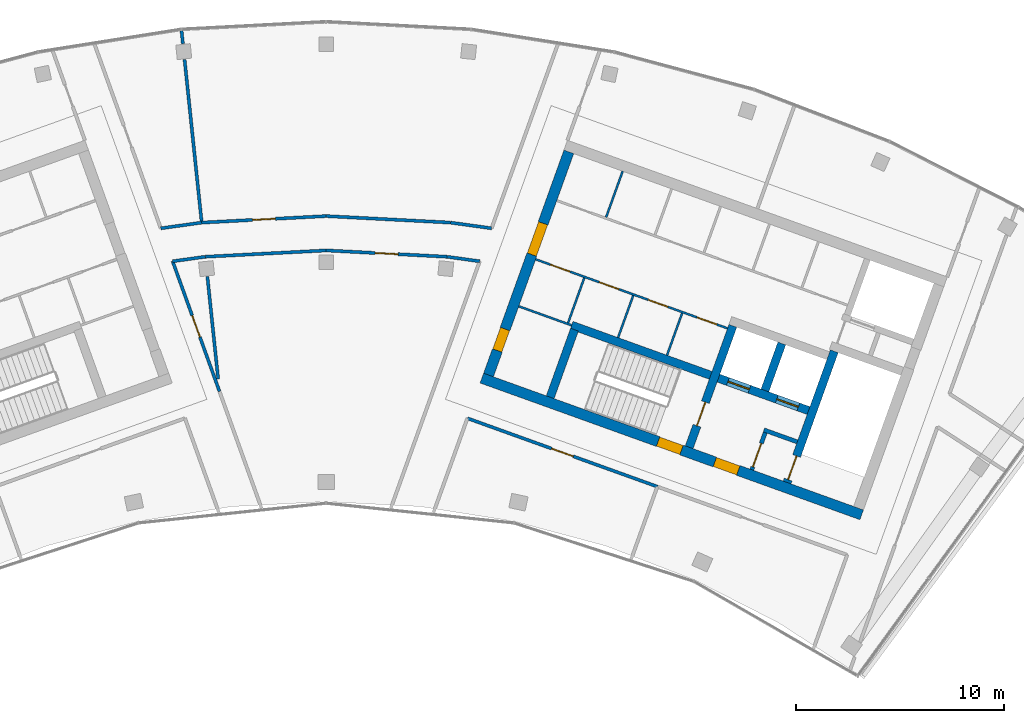
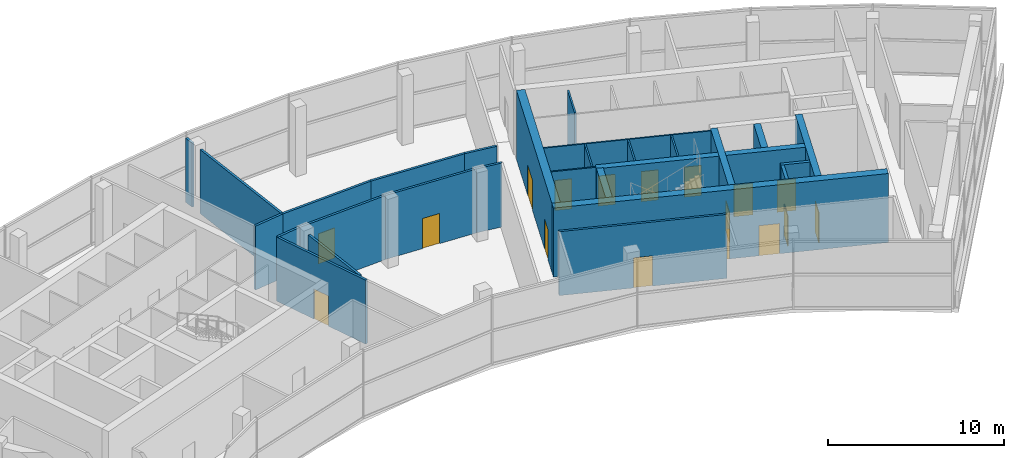
# One storey, part 10 of 13: 28 walls, 17 doors, 17 openings.
"""IFC4 building model written with IfcOpenShell, lengths in metres."""

from ifc_helpers import new_model, si_unit, direction, frame, frame_2d, origin, place, context, subcontext, project, spatial, rectangle, extrude, material, layer, layer_set, type_object, element, fill, save


model = new_model("IFC4")

# Units and contexts
model_context = context("Model", 3, precision=1e-05, world=origin(), true_north=direction((0.0, 1.0)))
body_context = subcontext(model_context, "Body", "Model", "MODEL_VIEW")
ifc_project = project(units=[si_unit("LENGTHUNIT", "METRE"), si_unit("AREAUNIT", "SQUARE_METRE"), si_unit("VOLUMEUNIT", "CUBIC_METRE"), si_unit("PLANEANGLEUNIT", "RADIAN"), si_unit("MASSUNIT", "GRAM", prefix="KILO")], contexts=[model_context])

# Site, building, storey
site_placement = place(None, origin())
site = spatial("IfcSite", under=ifc_project, at=site_placement, CompositionType="ELEMENT")
building_placement = place(site_placement, origin())
building = spatial("IfcBuilding", under=site, at=building_placement, Name="Stone Belt Terrace Tower", CompositionType="ELEMENT")
storey_placement = place(building_placement, frame((0.0, 0.0, 332.60009765625)))
storey = spatial("IfcBuildingStorey", under=building, at=storey_placement, Name="L79", CompositionType="ELEMENT", Elevation=332.60009765625)

# Wall, openings, doors
ifc_material_1 = material(Name="Plasterboard partition")
ifc_layer_1 = layer(ifc_material_1, 0.10009765625)
ifc_layer_set_1 = layer_set([ifc_layer_1], Name="Core partition 100")
wall_type_1 = type_object("IfcWallType", Name="Core partition 100", PredefinedType="PARTITIONING", material=ifc_layer_set_1)
wall_1_placement = place(storey_placement, frame((19.29052734375, 51.829833984375, 0.0), z_axis=(0.0, 0.0, 1.0), x_axis=(-0.940925833398, 0.338612722803, 0.0)))
wall_1 = element("IfcWall", 1, at=wall_1_placement, inside=storey, type_object=wall_type_1, Name="Core B wall", PredefinedType="PARTITIONING", context=body_context, shape_type="SweptSolid", body=[
    extrude(rectangle(XDim=9.7998046875, YDim=0.10009765625, at=frame_2d((4.89990234375, 0.0))), origin(), (0.0, 0.0, 1.0), 4.449951171875),
])
opening_1_placement = place(wall_1_placement, frame((0.550048828125, 0.0, 0.0)))
opening_1 = element("IfcOpeningElement", 2, at=opening_1_placement, cuts=wall_1, Name="Opening L79-C26", PredefinedType="OPENING", context=body_context, shape_type="SweptSolid", body=[
    extrude(rectangle(XDim=1.0, YDim=2.10009765625, at=frame_2d((0.5, 1.050048828125))), frame((0.0, 0.06005859375, 0.0), z_axis=(0.0, -1.0, 0.0), x_axis=(1.0, 0.0, 0.0)), (0.0, 0.0, 1.0), 0.1201171875),
])
opening_2_placement = place(wall_1_placement, frame((3.050048828125, 0.0, 0.0)))
opening_2 = element("IfcOpeningElement", 3, at=opening_2_placement, cuts=wall_1, Name="Opening L79-C27", PredefinedType="OPENING", context=body_context, shape_type="SweptSolid", body=[
    extrude(rectangle(XDim=1.0, YDim=2.10009765625, at=frame_2d((0.5, 1.050048828125))), frame((0.0, 0.06005859375, 0.0), z_axis=(0.0, -1.0, 0.0), x_axis=(1.0, 0.0, 0.0)), (0.0, 0.0, 1.0), 0.1201171875),
])
opening_3_placement = place(wall_1_placement, frame((5.550048828125, 0.0, 0.0)))
opening_3 = element("IfcOpeningElement", 4, at=opening_3_placement, cuts=wall_1, Name="Opening L79-C28", PredefinedType="OPENING", context=body_context, shape_type="SweptSolid", body=[
    extrude(rectangle(XDim=1.0, YDim=2.10009765625, at=frame_2d((0.5, 1.050048828125))), frame((0.0, 0.06005859375, 0.0), z_axis=(0.0, -1.0, 0.0), x_axis=(1.0, 0.0, 0.0)), (0.0, 0.0, 1.0), 0.1201171875),
])
opening_4_placement = place(wall_1_placement, frame((8.050048828125, 0.0, 0.0)))
opening_4 = element("IfcOpeningElement", 5, at=opening_4_placement, cuts=wall_1, Name="Opening L79-C29", PredefinedType="OPENING", context=body_context, shape_type="SweptSolid", body=[
    extrude(rectangle(XDim=1.0, YDim=2.10009765625, at=frame_2d((0.5, 1.050048828125))), frame((0.0, 0.06005859375, 0.0), z_axis=(0.0, -1.0, 0.0), x_axis=(1.0, 0.0, 0.0)), (0.0, 0.0, 1.0), 0.1201171875),
])
ifc_material_2 = material(Name="Timber door leaf", Category="wood")
door_type_1 = type_object("IfcDoorType", Name="Core room door 1000", OperationType="SINGLE_SWING_LEFT", PredefinedType="DOOR", material=ifc_material_2)
door_1_placement = place(opening_1_placement, origin())
door_1 = element("IfcDoor", 6, at=door_1_placement, inside=storey, type_object=door_type_1, Name="Door to Ventilation plant room core B", OperationType="SINGLE_SWING_RIGHT", OverallHeight=2.10009765625, OverallWidth=1.0, PredefinedType="DOOR", context=body_context, shape_type="SweptSolid", body=[
    extrude(rectangle(XDim=1.0, YDim=2.10009765625, at=frame_2d((0.5, 1.050048828125))), frame((0.0, 0.02490234375, 0.0), z_axis=(0.0, -1.0, 0.0), x_axis=(1.0, 0.0, 0.0)), (0.0, 0.0, 1.0), 0.050048828125),
])
fill(opening_1, door_1)
door_2_placement = place(opening_2_placement, origin())
door_2 = element("IfcDoor", 7, at=door_2_placement, inside=storey, type_object=door_type_1, Name="Door to Services store core B", OperationType="SINGLE_SWING_LEFT", OverallHeight=2.10009765625, OverallWidth=1.0, PredefinedType="DOOR", context=body_context, shape_type="SweptSolid", body=[
    extrude(rectangle(XDim=1.0, YDim=2.10009765625, at=frame_2d((0.5, 1.050048828125))), frame((0.0, 0.02490234375, 0.0), z_axis=(0.0, -1.0, 0.0), x_axis=(1.0, 0.0, 0.0)), (0.0, 0.0, 1.0), 0.050048828125),
])
fill(opening_2, door_2)
door_3_placement = place(opening_3_placement, origin())
door_3 = element("IfcDoor", 8, at=door_3_placement, inside=storey, type_object=door_type_1, Name="Door to Server room core B", OperationType="SINGLE_SWING_RIGHT", OverallHeight=2.10009765625, OverallWidth=1.0, PredefinedType="DOOR", context=body_context, shape_type="SweptSolid", body=[
    extrude(rectangle(XDim=1.0, YDim=2.10009765625, at=frame_2d((0.5, 1.050048828125))), frame((0.0, 0.02490234375, 0.0), z_axis=(0.0, -1.0, 0.0), x_axis=(1.0, 0.0, 0.0)), (0.0, 0.0, 1.0), 0.050048828125),
])
fill(opening_3, door_3)
door_4_placement = place(opening_4_placement, origin())
door_4 = element("IfcDoor", 9, at=door_4_placement, inside=storey, type_object=door_type_1, Name="Door to Plant room core B", OperationType="SINGLE_SWING_LEFT", OverallHeight=2.10009765625, OverallWidth=1.0, PredefinedType="DOOR", context=body_context, shape_type="SweptSolid", body=[
    extrude(rectangle(XDim=1.0, YDim=2.10009765625, at=frame_2d((0.5, 1.050048828125))), frame((0.0, 0.02490234375, 0.0), z_axis=(0.0, -1.0, 0.0), x_axis=(1.0, 0.0, 0.0)), (0.0, 0.0, 1.0), 0.050048828125),
])
fill(opening_4, door_4)

# Walls
for number, where, z_axis, x_axis, name in (
    (10, (16.38134765625, 50.53857421875, 0.0), (0.0, 0.0, 1.0), (0.338622960269, 0.940922149159, 0.0), "Core B wall"),
    (11, (14.029052734375, 51.38525390625, 0.0), (0.0, 0.0, 1.0), (0.338622960269, 0.940922149159, 0.0), "Core B wall"),
):
    element("IfcWall", number, at=place(storey_placement, frame(where, z_axis=z_axis, x_axis=x_axis)), inside=storey, type_object=wall_type_1, Name=name, PredefinedType="PARTITIONING", context=body_context, shape_type="SweptSolid", body=[
        extrude(rectangle(XDim=2.14990234375, YDim=0.10009765625, at=frame_2d((1.074951171875, 0.0))), origin(), (0.0, 0.0, 1.0), 4.449951171875),
    ])
wall_2_placement = place(storey_placement, frame((11.797119140625, 51.975830078125, 0.0), z_axis=(0.0, 0.0, 1.0), x_axis=(-0.940910465161, 0.33865542451, 0.0)))
element("IfcWall", 12, at=wall_2_placement, inside=storey, type_object=wall_type_1, Name="Core B wall", PredefinedType="PARTITIONING", context=body_context, shape_type="SweptSolid", body=[
    extrude(rectangle(XDim=2.69970703125, YDim=0.10009765625, at=frame_2d((1.349853515625, 0.0))), origin(), (0.0, 0.0, 1.0), 4.449951171875),
])
wall_3_placement = place(storey_placement, frame((11.6259765625, 52.090576171875, 0.0), z_axis=(0.0, 0.0, 1.0), x_axis=(0.338621735342, 0.94092258999, 0.0)))
element("IfcWall", 13, at=wall_3_placement, inside=storey, type_object=wall_type_1, Name="Core B wall", PredefinedType="PARTITIONING", context=body_context, shape_type="SweptSolid", body=[
    extrude(rectangle(XDim=2.300048828125, YDim=0.10009765625, at=frame_2d((1.14990234375, 0.0))), origin(), (0.0, 0.0, 1.0), 4.449951171875),
])
wall_4_placement = place(storey_placement, frame((13.45458984375, 57.171630859375, 0.0), z_axis=(0.0, 0.0, 1.0), x_axis=(0.338579668317, 0.940937728121, 0.0)))
element("IfcWall", 14, at=wall_4_placement, inside=storey, type_object=wall_type_1, Name="Core B wall", PredefinedType="PARTITIONING", context=body_context, shape_type="SweptSolid", body=[
    extrude(rectangle(XDim=2.35009765625, YDim=0.10009765625, at=frame_2d((1.175048828125, 0.0))), origin(), (0.0, 0.0, 1.0), 4.449951171875),
])

# Wall, openings, doors
ifc_material_3 = material(Name="Concrete B60", Category="concrete")
ifc_layer_2 = layer(ifc_material_3, 0.5)
ifc_layer_set_2 = layer_set([ifc_layer_2], Name="Core wall 500 B60")
wall_type_2 = type_object("IfcWallType", Name="Core wall 500 B60", PredefinedType="SHEAR", material=ifc_layer_set_2)
wall_5_placement = place(storey_placement, frame((7.482666015625, 49.43701171875, 0.0), z_axis=(0.0, 0.0, 1.0), x_axis=(0.940917407757, -0.338636134781, 0.0)))
wall_5 = element("IfcWall", 15, at=wall_5_placement, inside=storey, type_object=wall_type_2, Name="Core B wall concave L79", PredefinedType="SHEAR", context=body_context, shape_type="SweptSolid", body=[
    extrude(rectangle(XDim=19.400146484375, YDim=0.5, at=frame_2d((9.7001953125, 0.0))), origin(), (0.0, 0.0, 1.0), 4.7998046875),
])
opening_5_placement = place(wall_5_placement, frame((11.89990234375, 0.0, 0.0)))
opening_5 = element("IfcOpeningElement", 16, at=opening_5_placement, cuts=wall_5, Name="Opening L79-C35", PredefinedType="OPENING", context=body_context, shape_type="SweptSolid", body=[
    extrude(rectangle(XDim=1.199951171875, YDim=2.10009765625, at=frame_2d((0.60009765625, 1.050048828125))), frame((0.0, 0.260009765625, 0.0), z_axis=(0.0, -1.0, 0.0), x_axis=(1.0, 0.0, 0.0)), (0.0, 0.0, 1.0), 0.52001953125),
])
opening_6_placement = place(wall_5_placement, frame((9.0, 0.0, 0.0)))
opening_6 = element("IfcOpeningElement", 17, at=opening_6_placement, cuts=wall_5, Name="Opening L79-C37", PredefinedType="OPENING", context=body_context, shape_type="SweptSolid", body=[
    extrude(rectangle(XDim=1.199951171875, YDim=2.10009765625, at=frame_2d((0.60009765625, 1.050048828125))), frame((0.0, 0.260009765625, 0.0), z_axis=(0.0, -1.0, 0.0), x_axis=(1.0, 0.0, 0.0)), (0.0, 0.0, 1.0), 0.52001953125),
])
ifc_material_4 = material(Name="Steel door leaf", Category="steel")
door_type_2 = type_object("IfcDoorType", Name="Fire-fighting lobby door 1200", OperationType="SINGLE_SWING_LEFT", PredefinedType="DOOR", material=ifc_material_4)
door_5_placement = place(opening_5_placement, origin())
door_5 = element("IfcDoor", 18, at=door_5_placement, inside=storey, type_object=door_type_2, Name="Fire-fighting lobby door core B", OperationType="SINGLE_SWING_RIGHT", OverallHeight=2.10009765625, OverallWidth=1.199951171875, PredefinedType="DOOR", context=body_context, shape_type="SweptSolid", body=[
    extrude(rectangle(XDim=1.199951171875, YDim=2.10009765625, at=frame_2d((0.60009765625, 1.050048828125))), frame((0.0, 0.22998046875, 0.0), z_axis=(0.0, -1.0, 0.0), x_axis=(1.0, 0.0, 0.0)), (0.0, 0.0, 1.0), 0.4599609375),
])
fill(opening_5, door_5)
door_type_3 = type_object("IfcDoorType", Name="Stair door 1200", OperationType="SINGLE_SWING_LEFT", PredefinedType="DOOR", material=ifc_material_4)
door_6_placement = place(opening_6_placement, origin())
door_6 = element("IfcDoor", 19, at=door_6_placement, inside=storey, type_object=door_type_3, Name="Stair 2 exit door core B", OperationType="SINGLE_SWING_LEFT", OverallHeight=2.10009765625, OverallWidth=1.199951171875, PredefinedType="DOOR", context=body_context, shape_type="SweptSolid", body=[
    extrude(rectangle(XDim=1.199951171875, YDim=2.10009765625, at=frame_2d((0.60009765625, 1.050048828125))), frame((0.0, 0.22998046875, 0.0), z_axis=(0.0, -1.0, 0.0), x_axis=(1.0, 0.0, 0.0)), (0.0, 0.0, 1.0), 0.4599609375),
])
fill(opening_6, door_6)

wall_6_placement = place(storey_placement, frame((7.802490234375, 49.58740234375, 0.0), z_axis=(0.0, 0.0, 1.0), x_axis=(0.338625431531, 0.940921259788, 0.0)))
wall_6 = element("IfcWall", 20, at=wall_6_placement, inside=storey, type_object=wall_type_2, Name="Core B wall end_a L79", PredefinedType="SHEAR", context=body_context, shape_type="SweptSolid", body=[
    extrude(rectangle(XDim=11.400146484375, YDim=0.5, at=frame_2d((5.7001953125, 0.0))), origin(), (0.0, 0.0, 1.0), 4.7998046875),
])
opening_7_placement = place(wall_6_placement, frame((6.14990234375, 0.0, 0.0)))
opening_7 = element("IfcOpeningElement", 21, at=opening_7_placement, cuts=wall_6, Name="Opening L79-C32", PredefinedType="OPENING", context=body_context, shape_type="SweptSolid", body=[
    extrude(rectangle(XDim=1.60009765625, YDim=2.10009765625, at=frame_2d((0.800048828125, 1.050048828125))), frame((0.0, 0.260009765625, 0.0), z_axis=(0.0, -1.0, 0.0), x_axis=(1.0, 0.0, 0.0)), (0.0, 0.0, 1.0), 0.52001953125),
])
opening_8_placement = place(wall_6_placement, frame((1.25, 0.0, 0.0)))
opening_8 = element("IfcOpeningElement", 22, at=opening_8_placement, cuts=wall_6, Name="Opening L79-C38", PredefinedType="OPENING", context=body_context, shape_type="SweptSolid", body=[
    extrude(rectangle(XDim=1.10009765625, YDim=2.10009765625, at=frame_2d((0.550048828125, 1.050048828125))), frame((0.0, 0.260009765625, 0.0), z_axis=(0.0, -1.0, 0.0), x_axis=(1.0, 0.0, 0.0)), (0.0, 0.0, 1.0), 0.52001953125),
])
door_type_4 = type_object("IfcDoorType", Name="Core room door 1100", OperationType="SINGLE_SWING_LEFT", PredefinedType="DOOR", material=ifc_material_2)
door_7_placement = place(opening_8_placement, origin())
door_7 = element("IfcDoor", 23, at=door_7_placement, inside=storey, type_object=door_type_4, Name="Door to Mechanical plant room core B", OperationType="SINGLE_SWING_RIGHT", OverallHeight=2.10009765625, OverallWidth=1.10009765625, PredefinedType="DOOR", context=body_context, shape_type="SweptSolid", body=[
    extrude(rectangle(XDim=1.10009765625, YDim=2.10009765625, at=frame_2d((0.550048828125, 1.050048828125))), frame((0.0, 0.22998046875, 0.0), z_axis=(0.0, -1.0, 0.0), x_axis=(1.0, 0.0, 0.0)), (0.0, 0.0, 1.0), 0.4599609375),
])
fill(opening_8, door_7)
ifc_material_5 = material(Name="Glazed aluminium door leaf", Category="aluminium")
door_type_5 = type_object("IfcDoorType", Name="Lift lobby entrance door 1600", OperationType="DOUBLE_DOOR_SINGLE_SWING", PredefinedType="DOOR", material=ifc_material_5)
door_8_placement = place(opening_7_placement, origin())
door_8 = element("IfcDoor", 24, at=door_8_placement, inside=storey, type_object=door_type_5, Name="Lift lobby entrance door core B", OperationType="DOUBLE_DOOR_SINGLE_SWING", OverallHeight=2.10009765625, OverallWidth=1.60009765625, PredefinedType="DOOR", context=body_context, shape_type="SweptSolid", body=[
    extrude(rectangle(XDim=1.60009765625, YDim=2.10009765625, at=frame_2d((0.800048828125, 1.050048828125))), frame((0.0, 0.22998046875, 0.0), z_axis=(0.0, -1.0, 0.0), x_axis=(1.0, 0.0, 0.0)), (0.0, 0.0, 1.0), 0.4599609375),
])
fill(opening_7, door_8)

# Wall
ifc_material_6 = material(Name="Concrete B80", Category="concrete")
ifc_layer_3 = layer(ifc_material_6, 0.39990234375)
ifc_layer_set_3 = layer_set([ifc_layer_3], Name="Fire-fighting lift shaft wall 400")
wall_type_3 = type_object("IfcWallType", Name="Fire-fighting lift shaft wall 400", PredefinedType="SHEAR", material=ifc_layer_set_3)
wall_7_placement = place(storey_placement, frame((21.0859375, 48.845458984375, 0.0), z_axis=(0.0, 0.0, 1.0), x_axis=(0.338629416206, 0.940919825745, 0.0)))
element("IfcWall", 25, at=wall_7_placement, inside=storey, type_object=wall_type_3, Name="Core B wall", PredefinedType="SHEAR", context=body_context, shape_type="SweptSolid", body=[
    extrude(rectangle(XDim=2.400146484375, YDim=0.39990234375, at=frame_2d((1.2001953125, 0.0))), origin(), (0.0, 0.0, 1.0), 4.449951171875),
])

# Wall, opening, door
ifc_material_7 = material(Name="Gypsum board partition")
ifc_layer_4 = layer(ifc_material_7, 0.14990234375)
ifc_layer_set_4 = layer_set([ifc_layer_4], Name="PARTITION 150 EI 60")
wall_type_4 = type_object("IfcWallType", Name="PARTITION 150 EI 60", PredefinedType="PARTITIONING", material=ifc_layer_set_4)
wall_8_placement = place(storey_placement, frame((-7.381103515625, 55.05908203125, 0.0), z_axis=(0.0, 0.0, 1.0), x_axis=(0.338745451541, -0.940878057487, 0.0)))
wall_8 = element("IfcWall", 26, at=wall_8_placement, inside=storey, type_object=wall_type_4, Name="L79/wall/i009", PredefinedType="PARTITIONING", context=body_context, shape_type="SweptSolid", body=[
    extrude(rectangle(XDim=6.654296875, YDim=0.14990234375, at=frame_2d((3.3271484375, 0.0))), origin(), (0.0, 0.0, 1.0), 4.449951171875),
])
opening_9_placement = place(wall_8_placement, frame((2.777099609375, 0.0, 0.0)))
opening_9 = element("IfcOpeningElement", 27, at=opening_9_placement, cuts=wall_8, Name="Opening D-C79-11", PredefinedType="OPENING", context=body_context, shape_type="SweptSolid", body=[
    extrude(rectangle(XDim=1.10009765625, YDim=2.10009765625, at=frame_2d((0.550048828125, 1.050048828125))), frame((0.0, 0.0849609375, 0.0), z_axis=(0.0, -1.0, 0.0), x_axis=(1.0, 0.0, 0.0)), (0.0, 0.0, 1.0), 0.169921875),
])
ifc_material_8 = material(Name="Steel fire door set", Category="steel")
door_type_6 = type_object("IfcDoorType", Name="SERVICE ROOM DOOR 1100 X 2100", OperationType="NOTDEFINED", PredefinedType="DOOR", material=ifc_material_8)
door_9_placement = place(opening_9_placement, origin())
door_9 = element("IfcDoor", 28, at=door_9_placement, inside=storey, type_object=door_type_6, Name="L79/door/i11", OperationType="SINGLE_SWING_RIGHT", OverallHeight=2.10009765625, OverallWidth=1.10009765625, PredefinedType="DOOR", context=body_context, shape_type="SweptSolid", body=[
    extrude(rectangle(XDim=1.10009765625, YDim=2.10009765625, at=frame_2d((0.550048828125, 1.050048828125))), frame((0.0, 0.02490234375, 0.0), z_axis=(0.0, -1.0, 0.0), x_axis=(1.0, 0.0, 0.0)), (0.0, 0.0, 1.0), 0.050048828125),
])
fill(opening_9, door_9)

wall_9_placement = place(storey_placement, frame((15.9208984375, 44.221923828125, 0.0), z_axis=(0.0, 0.0, 1.0), x_axis=(-0.940942551854, 0.33856626251, 0.0)))
wall_9 = element("IfcWall", 29, at=wall_9_placement, inside=storey, type_object=wall_type_4, Name="L79/wall/i026", PredefinedType="PARTITIONING", context=body_context, shape_type="SweptSolid", body=[
    extrude(rectangle(XDim=9.7060546875, YDim=0.14990234375, at=frame_2d((4.85302734375, 0.0))), origin(), (0.0, 0.0, 1.0), 4.449951171875),
])
opening_10_placement = place(wall_9_placement, frame((4.302978515625, 0.0, 0.0)))
opening_10 = element("IfcOpeningElement", 30, at=opening_10_placement, cuts=wall_9, Name="Opening D-C79-05", PredefinedType="OPENING", context=body_context, shape_type="SweptSolid", body=[
    extrude(rectangle(XDim=1.10009765625, YDim=2.10009765625, at=frame_2d((0.550048828125, 1.050048828125))), frame((0.0, 0.0849609375, 0.0), z_axis=(0.0, -1.0, 0.0), x_axis=(1.0, 0.0, 0.0)), (0.0, 0.0, 1.0), 0.169921875),
])
door_10_placement = place(opening_10_placement, origin())
door_10 = element("IfcDoor", 31, at=door_10_placement, inside=storey, type_object=door_type_6, Name="L79/door/i05", OperationType="SINGLE_SWING_RIGHT", OverallHeight=2.10009765625, OverallWidth=1.10009765625, PredefinedType="DOOR", context=body_context, shape_type="SweptSolid", body=[
    extrude(rectangle(XDim=1.10009765625, YDim=2.10009765625, at=frame_2d((0.550048828125, 1.050048828125))), frame((0.0, 0.02490234375, 0.0), z_axis=(0.0, -1.0, 0.0), x_axis=(1.0, 0.0, 0.0)), (0.0, 0.0, 1.0), 0.050048828125),
])
fill(opening_10, door_10)

# Walls
for number, where, z_axis, x_axis, name in (
    (32, (-5.80908203125, 55.27099609375, 0.0), (0.0, 0.0, 1.0), (-0.990493439248, -0.137559975311, 0.0), "L79/wall/i032"),
    (33, (7.37890625, 55.052978515625, 0.0), (0.0, 0.0, 1.0), (-0.990493439248, 0.137559975311, 0.0), "L79/wall/i033"),
):
    element("IfcWall", number, at=place(storey_placement, frame(where, z_axis=z_axis, x_axis=x_axis)), inside=storey, type_object=wall_type_4, Name=name, PredefinedType="PARTITIONING", context=body_context, shape_type="SweptSolid", body=[
        extrude(rectangle(XDim=1.5849609375, YDim=0.14990234375, at=frame_2d((0.79248046875, 0.0))), origin(), (0.0, 0.0, 1.0), 4.449951171875),
    ])

# Wall, opening, door
wall_10_placement = place(storey_placement, frame((5.80908203125, 55.27099609375, 0.0), z_axis=(0.0, 0.0, 1.0), x_axis=(-0.998633897938, 0.052252635241, 0.0)))
wall_10 = element("IfcWall", 34, at=wall_10_placement, inside=storey, type_object=wall_type_4, Name="L79/wall/i034", PredefinedType="PARTITIONING", context=body_context, shape_type="SweptSolid", body=[
    extrude(rectangle(XDim=5.817138671875, YDim=0.14990234375, at=frame_2d((2.90869140625, 0.0))), origin(), (0.0, 0.0, 1.0), 4.449951171875),
])
opening_11_placement = place(wall_10_placement, frame((2.3583984375, 0.0, 0.0)))
opening_11 = element("IfcOpeningElement", 35, at=opening_11_placement, cuts=wall_10, Name="Opening D-C79-12", PredefinedType="OPENING", context=body_context, shape_type="SweptSolid", body=[
    extrude(rectangle(XDim=1.10009765625, YDim=2.10009765625, at=frame_2d((0.550048828125, 1.050048828125))), frame((0.0, 0.0849609375, 0.0), z_axis=(0.0, -1.0, 0.0), x_axis=(1.0, 0.0, 0.0)), (0.0, 0.0, 1.0), 0.169921875),
])
door_11_placement = place(opening_11_placement, origin())
door_11 = element("IfcDoor", 36, at=door_11_placement, inside=storey, type_object=door_type_6, Name="L79/door/i12", OperationType="SINGLE_SWING_RIGHT", OverallHeight=2.10009765625, OverallWidth=1.10009765625, PredefinedType="DOOR", context=body_context, shape_type="SweptSolid", body=[
    extrude(rectangle(XDim=1.10009765625, YDim=2.10009765625, at=frame_2d((0.550048828125, 1.050048828125))), frame((0.0, 0.02490234375, 0.0), z_axis=(0.0, -1.0, 0.0), x_axis=(1.0, 0.0, 0.0)), (0.0, 0.0, 1.0), 0.050048828125),
])
fill(opening_11, door_11)

# Walls
wall_11_placement = place(storey_placement, frame((0.0, 55.574951171875, 0.0), z_axis=(0.0, 0.0, 1.0), x_axis=(-0.998633897938, -0.052252635241, 0.0)))
element("IfcWall", 37, at=wall_11_placement, inside=storey, type_object=wall_type_4, Name="L79/wall/i035", PredefinedType="PARTITIONING", context=body_context, shape_type="SweptSolid", body=[
    extrude(rectangle(XDim=5.817138671875, YDim=0.14990234375, at=frame_2d((2.90869140625, 0.0))), origin(), (0.0, 0.0, 1.0), 4.449951171875),
])
wall_12_placement = place(storey_placement, frame((-7.948974609375, 56.637939453125, 0.0), z_axis=(0.0, 0.0, 1.0), x_axis=(0.99042562209, 0.138047408912, 0.0)))
element("IfcWall", 38, at=wall_12_placement, inside=storey, type_object=wall_type_4, Name="L79/wall/i036", PredefinedType="PARTITIONING", context=body_context, shape_type="SweptSolid", body=[
    extrude(rectangle(XDim=1.986083984375, YDim=0.14990234375, at=frame_2d((0.9931640625, 0.0))), origin(), (0.0, 0.0, 1.0), 4.449951171875),
])

# Wall, opening, door
wall_13_placement = place(storey_placement, frame((-5.98193359375, 56.912109375, 0.0), z_axis=(0.0, 0.0, 1.0), x_axis=(0.998633994648, 0.052250786921, 0.0)))
wall_13 = element("IfcWall", 39, at=wall_13_placement, inside=storey, type_object=wall_type_4, Name="L79/wall/i037", PredefinedType="PARTITIONING", context=body_context, shape_type="SweptSolid", body=[
    extrude(rectangle(XDim=5.990234375, YDim=0.14990234375, at=frame_2d((2.9951171875, 0.0))), origin(), (0.0, 0.0, 1.0), 4.449951171875),
])
opening_12_placement = place(wall_13_placement, frame((2.445068359375, 0.0, 0.0)))
opening_12 = element("IfcOpeningElement", 40, at=opening_12_placement, cuts=wall_13, Name="Opening D-C79-14", PredefinedType="OPENING", context=body_context, shape_type="SweptSolid", body=[
    extrude(rectangle(XDim=1.10009765625, YDim=2.10009765625, at=frame_2d((0.550048828125, 1.050048828125))), frame((0.0, 0.0849609375, 0.0), z_axis=(0.0, -1.0, 0.0), x_axis=(1.0, 0.0, 0.0)), (0.0, 0.0, 1.0), 0.169921875),
])
door_12_placement = place(opening_12_placement, origin())
door_12 = element("IfcDoor", 41, at=door_12_placement, inside=storey, type_object=door_type_6, Name="L79/door/i14", OperationType="SINGLE_SWING_LEFT", OverallHeight=2.10009765625, OverallWidth=1.10009765625, PredefinedType="DOOR", context=body_context, shape_type="SweptSolid", body=[
    extrude(rectangle(XDim=1.10009765625, YDim=2.10009765625, at=frame_2d((0.550048828125, 1.050048828125))), frame((0.0, 0.02490234375, 0.0), z_axis=(0.0, -1.0, 0.0), x_axis=(1.0, 0.0, 0.0)), (0.0, 0.0, 1.0), 0.050048828125),
])
fill(opening_12, door_12)

# Walls
wall_14_placement = place(storey_placement, frame((0.0, 57.22509765625, 0.0), z_axis=(0.0, 0.0, 1.0), x_axis=(0.998633994648, -0.052250786921, 0.0)))
element("IfcWall", 42, at=wall_14_placement, inside=storey, type_object=wall_type_4, Name="L79/wall/i038", PredefinedType="PARTITIONING", context=body_context, shape_type="SweptSolid", body=[
    extrude(rectangle(XDim=5.990234375, YDim=0.14990234375, at=frame_2d((2.9951171875, 0.0))), origin(), (0.0, 0.0, 1.0), 4.449951171875),
])
wall_15_placement = place(storey_placement, frame((5.98193359375, 56.912109375, 0.0), z_axis=(0.0, 0.0, 1.0), x_axis=(0.99042562209, -0.138047408912, 0.0)))
element("IfcWall", 43, at=wall_15_placement, inside=storey, type_object=wall_type_4, Name="L79/wall/i039", PredefinedType="PARTITIONING", context=body_context, shape_type="SweptSolid", body=[
    extrude(rectangle(XDim=1.986083984375, YDim=0.14990234375, at=frame_2d((0.9931640625, 0.0))), origin(), (0.0, 0.0, 1.0), 4.449951171875),
])
wall_16_placement = place(storey_placement, frame((-5.708984375, 54.32080078125, 0.0), z_axis=(0.0, 0.0, 1.0), x_axis=(0.104548662851, -0.994519772099, 0.0)))
element("IfcWall", 44, at=wall_16_placement, inside=storey, type_object=wall_type_4, Name="L79/wall/i040", PredefinedType="PARTITIONING", context=body_context, shape_type="SweptSolid", body=[
    extrude(rectangle(XDim=4.9482421875, YDim=0.14990234375, at=frame_2d((2.47412109375, 0.0))), origin(), (0.0, 0.0, 1.0), 4.449951171875),
])
wall_17_placement = place(storey_placement, frame((-6.951416015625, 66.135498046875, 0.0), z_axis=(0.0, 0.0, 1.0), x_axis=(0.10448334315, -0.994526636649, 0.0)))
element("IfcWall", 45, at=wall_17_placement, inside=storey, type_object=wall_type_4, Name="L79/wall/i041", PredefinedType="PARTITIONING", context=body_context, shape_type="SweptSolid", body=[
    extrude(rectangle(XDim=0.630859375, YDim=0.14990234375, at=frame_2d((0.3154296875, 0.0))), origin(), (0.0, 0.0, 1.0), 4.449951171875),
])
wall_18_placement = place(storey_placement, frame((-6.80615234375, 64.752197265625, 0.0), z_axis=(0.0, 0.0, 1.0), x_axis=(0.104552591052, -0.99451935914, 0.0)))
element("IfcWall", 46, at=wall_18_placement, inside=storey, type_object=wall_type_4, Name="L79/wall/i042", PredefinedType="PARTITIONING", context=body_context, shape_type="SweptSolid", body=[
    extrude(rectangle(XDim=7.88330078125, YDim=0.14990234375, at=frame_2d((3.941650390625, 0.0))), origin(), (0.0, 0.0, 1.0), 4.449951171875),
])
ifc_material_9 = material(Name="Concrete masonry block", Category="masonry")
ifc_layer_5 = layer(ifc_material_9, 0.199951171875)
ifc_layer_set_5 = layer_set([ifc_layer_5], Name="Rated lobby wall 200")
wall_type_5 = type_object("IfcWallType", Name="Rated lobby wall 200", PredefinedType="PARTITIONING", material=ifc_layer_set_5)
wall_19_placement = place(storey_placement, frame((22.640625, 46.373046875, 0.0), z_axis=(0.0, 0.0, 1.0), x_axis=(-0.940966110313, 0.338500781747, 0.0)))
element("IfcWall", 47, at=wall_19_placement, inside=storey, type_object=wall_type_5, Name="Core B wall", PredefinedType="PARTITIONING", context=body_context, shape_type="SweptSolid", body=[
    extrude(rectangle(XDim=1.699951171875, YDim=0.199951171875, at=frame_2d((0.85009765625, 0.0))), origin(), (0.0, 0.0, 1.0), 4.449951171875),
])

# Wall, opening, door
wall_20_placement = place(storey_placement, frame((20.4580078125, 45.032958984375, 0.0), z_axis=(0.0, 0.0, 1.0), x_axis=(0.338573865316, 0.940939816208, 0.0)))
wall_20 = element("IfcWall", 48, at=wall_20_placement, inside=storey, type_object=wall_type_5, Name="Core B wall", PredefinedType="PARTITIONING", context=body_context, shape_type="SweptSolid", body=[
    extrude(rectangle(XDim=1.900146484375, YDim=0.199951171875, at=frame_2d((0.9501953125, 0.0))), origin(), (0.0, 0.0, 1.0), 4.449951171875),
])
opening_13_placement = place(wall_20_placement, frame((0.14990234375, 0.0, 0.0)))
opening_13 = element("IfcOpeningElement", 49, at=opening_13_placement, cuts=wall_20, Name="Opening L79-C34", PredefinedType="OPENING", context=body_context, shape_type="SweptSolid", body=[
    extrude(rectangle(XDim=1.199951171875, YDim=2.10009765625, at=frame_2d((0.60009765625, 1.050048828125))), frame((0.0, 0.10986328125, 0.0), z_axis=(0.0, -1.0, 0.0), x_axis=(1.0, 0.0, 0.0)), (0.0, 0.0, 1.0), 0.219970703125),
])
door_13_placement = place(opening_13_placement, origin())
door_13 = element("IfcDoor", 50, at=door_13_placement, inside=storey, type_object=door_type_3, Name="Stair airlock door core B", OperationType="SINGLE_SWING_RIGHT", OverallHeight=2.10009765625, OverallWidth=1.199951171875, PredefinedType="DOOR", context=body_context, shape_type="SweptSolid", body=[
    extrude(rectangle(XDim=1.199951171875, YDim=2.10009765625, at=frame_2d((0.60009765625, 1.050048828125))), frame((0.0, 0.02490234375, 0.0), z_axis=(0.0, -1.0, 0.0), x_axis=(1.0, 0.0, 0.0)), (0.0, 0.0, 1.0), 0.050048828125),
])
fill(opening_13, door_13)

ifc_layer_6 = layer(ifc_material_6, 0.39990234375)
ifc_layer_set_6 = layer_set([ifc_layer_6], Name="Stair enclosure wall 400")
wall_type_6 = type_object("IfcWallType", Name="Stair enclosure wall 400", PredefinedType="SHEAR", material=ifc_layer_set_6)
wall_21_placement = place(storey_placement, frame((22.151611328125, 44.42333984375, 0.0), z_axis=(0.0, 0.0, 1.0), x_axis=(0.338625272931, 0.940921316866, 0.0)))
wall_21 = element("IfcWall", 51, at=wall_21_placement, inside=storey, type_object=wall_type_6, Name="Core B wall", PredefinedType="SHEAR", context=body_context, shape_type="SweptSolid", body=[
    extrude(rectangle(XDim=6.699951171875, YDim=0.39990234375, at=frame_2d((3.35009765625, 0.0))), origin(), (0.0, 0.0, 1.0), 4.449951171875),
])
opening_14_placement = place(wall_21_placement, frame((0.14990234375, 0.0, 0.0)))
opening_14 = element("IfcOpeningElement", 52, at=opening_14_placement, cuts=wall_21, Name="Opening L79-C33", PredefinedType="OPENING", context=body_context, shape_type="SweptSolid", body=[
    extrude(rectangle(XDim=1.199951171875, YDim=2.10009765625, at=frame_2d((0.60009765625, 1.050048828125))), frame((0.0, 0.2099609375, 0.0), z_axis=(0.0, -1.0, 0.0), x_axis=(1.0, 0.0, 0.0)), (0.0, 0.0, 1.0), 0.419921875),
])
door_14_placement = place(opening_14_placement, origin())
door_14 = element("IfcDoor", 53, at=door_14_placement, inside=storey, type_object=door_type_3, Name="Stair 1 door core B", OperationType="SINGLE_SWING_RIGHT", OverallHeight=2.10009765625, OverallWidth=1.199951171875, PredefinedType="DOOR", context=body_context, shape_type="SweptSolid", body=[
    extrude(rectangle(XDim=1.199951171875, YDim=2.10009765625, at=frame_2d((0.60009765625, 1.050048828125))), frame((0.0, 0.02490234375, 0.0), z_axis=(0.0, -1.0, 0.0), x_axis=(1.0, 0.0, 0.0)), (0.0, 0.0, 1.0), 0.050048828125),
])
fill(opening_14, door_14)

# Wall, openings, doors
wall_22_placement = place(storey_placement, frame((23.182373046875, 47.87841796875, 0.0), z_axis=(0.0, 0.0, 1.0), x_axis=(-0.940921101762, 0.338625870628, 0.0)))
wall_22 = element("IfcWall", 54, at=wall_22_placement, inside=storey, type_object=wall_type_6, Name="Core B wall", PredefinedType="SHEAR", context=body_context, shape_type="SweptSolid", body=[
    extrude(rectangle(XDim=12.10009765625, YDim=0.39990234375, at=frame_2d((6.050048828125, 0.0))), origin(), (0.0, 0.0, 1.0), 4.449951171875),
])
opening_15_placement = place(wall_22_placement, frame((0.52001953125, 0.0, 0.0)))
opening_15 = element("IfcOpeningElement", 55, at=opening_15_placement, cuts=wall_22, Name="Opening L79-LD04", PredefinedType="OPENING", context=body_context, shape_type="SweptSolid", body=[
    extrude(rectangle(XDim=1.10009765625, YDim=2.199951171875, at=frame_2d((0.550048828125, 1.10009765625))), frame((0.0, 0.2099609375, 0.0), z_axis=(0.0, -1.0, 0.0), x_axis=(1.0, 0.0, 0.0)), (0.0, 0.0, 1.0), 0.419921875),
])
opening_16_placement = place(wall_22_placement, frame((3.02001953125, 0.0, 0.0)))
opening_16 = element("IfcOpeningElement", 56, at=opening_16_placement, cuts=wall_22, Name="Opening L79-LD05", PredefinedType="OPENING", context=body_context, shape_type="SweptSolid", body=[
    extrude(rectangle(XDim=1.10009765625, YDim=2.199951171875, at=frame_2d((0.550048828125, 1.10009765625))), frame((0.0, 0.2099609375, 0.0), z_axis=(0.0, -1.0, 0.0), x_axis=(1.0, 0.0, 0.0)), (0.0, 0.0, 1.0), 0.419921875),
])
ifc_material_10 = material(Name="Stainless steel door leaf", Category="steel")
door_type_7 = type_object("IfcDoorType", Name="Landing door 1100", OperationType="SLIDING_TO_LEFT", PredefinedType="DOOR", material=ifc_material_10)
door_15_placement = place(opening_15_placement, origin())
door_15 = element("IfcDoor", 57, at=door_15_placement, inside=storey, type_object=door_type_7, Name="Landing door FF1 core B", OperationType="SLIDING_TO_LEFT", OverallHeight=2.199951171875, OverallWidth=1.10009765625, PredefinedType="DOOR", context=body_context, shape_type="SweptSolid", body=[
    extrude(rectangle(XDim=1.10009765625, YDim=2.199951171875, at=frame_2d((0.550048828125, 1.10009765625))), frame((0.0, 0.02490234375, 0.0), z_axis=(0.0, -1.0, 0.0), x_axis=(1.0, 0.0, 0.0)), (0.0, 0.0, 1.0), 0.050048828125),
])
fill(opening_15, door_15)
door_16_placement = place(opening_16_placement, origin())
door_16 = element("IfcDoor", 58, at=door_16_placement, inside=storey, type_object=door_type_7, Name="Landing door FF2 core B", OperationType="SLIDING_TO_LEFT", OverallHeight=2.199951171875, OverallWidth=1.10009765625, PredefinedType="DOOR", context=body_context, shape_type="SweptSolid", body=[
    extrude(rectangle(XDim=1.10009765625, YDim=2.199951171875, at=frame_2d((0.550048828125, 1.10009765625))), frame((0.0, 0.02490234375, 0.0), z_axis=(0.0, -1.0, 0.0), x_axis=(1.0, 0.0, 0.0)), (0.0, 0.0, 1.0), 0.050048828125),
])
fill(opening_16, door_16)

# Wall, opening, door
wall_23_placement = place(storey_placement, frame((17.447021484375, 46.116455078125, 0.0), z_axis=(0.0, 0.0, 1.0), x_axis=(0.33860791464, 0.940927563707, 0.0)))
wall_23 = element("IfcWall", 59, at=wall_23_placement, inside=storey, type_object=wall_type_6, Name="Core B wall", PredefinedType="SHEAR", context=body_context, shape_type="SweptSolid", body=[
    extrude(rectangle(XDim=6.199951171875, YDim=0.39990234375, at=frame_2d((3.10009765625, 0.0))), origin(), (0.0, 0.0, 1.0), 4.449951171875),
])
opening_17_placement = place(wall_23_placement, frame((1.10009765625, 0.0, 0.0)))
opening_17 = element("IfcOpeningElement", 60, at=opening_17_placement, cuts=wall_23, Name="Opening L79-C36", PredefinedType="OPENING", context=body_context, shape_type="SweptSolid", body=[
    extrude(rectangle(XDim=1.199951171875, YDim=2.10009765625, at=frame_2d((0.60009765625, 1.050048828125))), frame((0.0, 0.2099609375, 0.0), z_axis=(0.0, -1.0, 0.0), x_axis=(1.0, 0.0, 0.0)), (0.0, 0.0, 1.0), 0.419921875),
])
door_17_placement = place(opening_17_placement, origin())
door_17 = element("IfcDoor", 61, at=door_17_placement, inside=storey, type_object=door_type_3, Name="Stair 2 door core B", OperationType="SINGLE_SWING_RIGHT", OverallHeight=2.10009765625, OverallWidth=1.199951171875, PredefinedType="DOOR", context=body_context, shape_type="SweptSolid", body=[
    extrude(rectangle(XDim=1.199951171875, YDim=2.10009765625, at=frame_2d((0.60009765625, 1.050048828125))), frame((0.0, 0.02490234375, 0.0), z_axis=(0.0, -1.0, 0.0), x_axis=(1.0, 0.0, 0.0)), (0.0, 0.0, 1.0), 0.050048828125),
])
fill(opening_17, door_17)

# Wall
wall_24_placement = place(storey_placement, frame((10.766357421875, 48.520751953125, 0.0), z_axis=(0.0, 0.0, 1.0), x_axis=(0.338621735342, 0.94092258999, 0.0)))
element("IfcWall", 62, at=wall_24_placement, inside=storey, type_object=wall_type_6, Name="Core B wall", PredefinedType="SHEAR", context=body_context, shape_type="SweptSolid", body=[
    extrude(rectangle(XDim=3.449951171875, YDim=0.39990234375, at=frame_2d((1.72509765625, 0.0))), origin(), (0.0, 0.0, 1.0), 4.449951171875),
])

save(model, "model.ifc")
